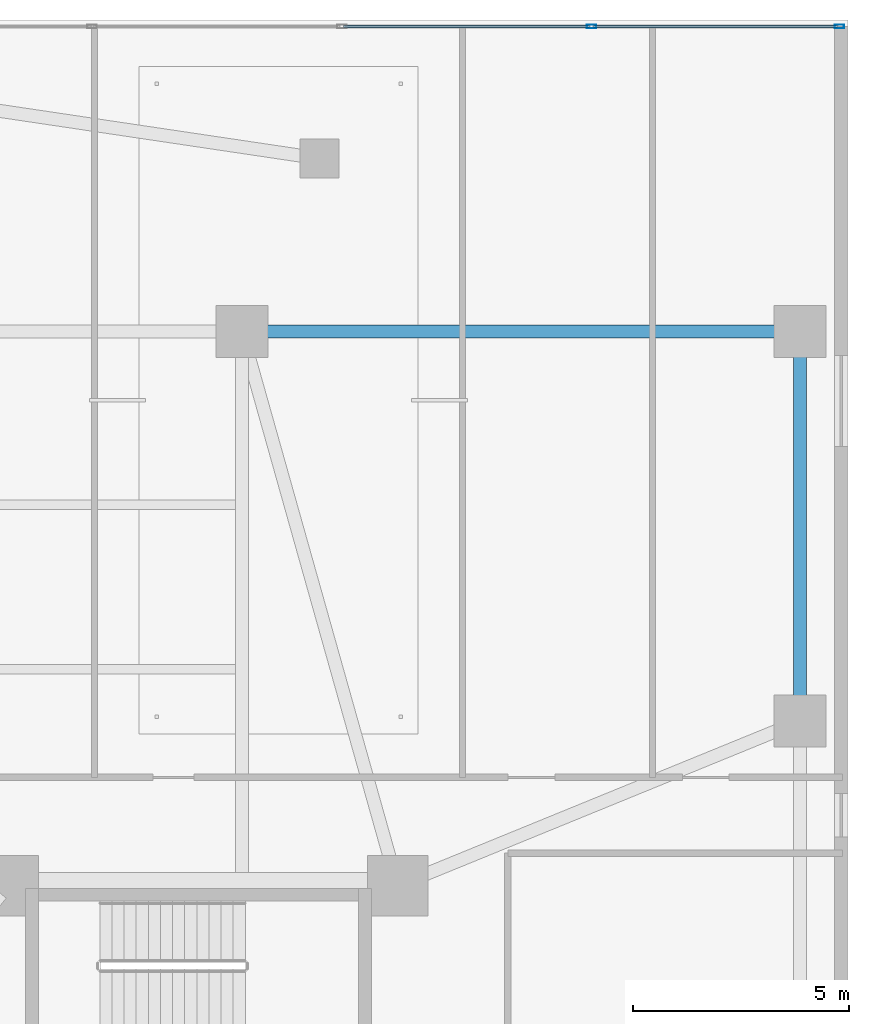
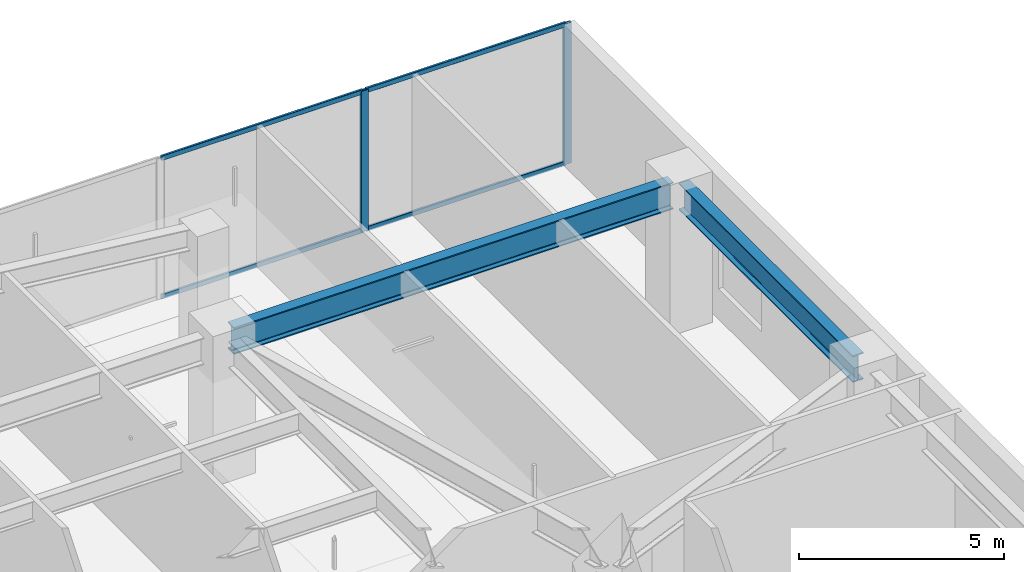
# One storey, part 7 of 22: 6 members, 2 beams, 1 element without a shape of its own.
"""IFC4 building model written with IfcOpenShell, lengths in metres."""

from ifc_helpers import new_model, si_unit, direction, frame, origin, origin_2d, place, context, subcontext, project, spatial, hollow_rectangle, i_section, extrude, material, layer, layer_set, material_profile, profile_set, type_object, element, aggregate, save


model = new_model("IFC4")

# Units and contexts
model_context = context("Model", 3, precision=1e-05, world=origin(), true_north=direction((0.0, 1.0)))
body_context = subcontext(model_context, "Body", "Model", "MODEL_VIEW")
ifc_project = project(units=[si_unit("LENGTHUNIT", "METRE"), si_unit("AREAUNIT", "SQUARE_METRE"), si_unit("VOLUMEUNIT", "CUBIC_METRE"), si_unit("PLANEANGLEUNIT", "RADIAN"), si_unit("MASSUNIT", "GRAM", prefix="KILO")], contexts=[model_context])

# Site, building, storey
site_placement = place(None, origin())
site = spatial("IfcSite", under=ifc_project, at=site_placement, CompositionType="ELEMENT")
building_placement = place(site_placement, origin())
building = spatial("IfcBuilding", under=site, at=building_placement, Name="Tarnavaz Court Tower", CompositionType="ELEMENT")
storey_placement = place(building_placement, frame((0.0, 0.0, 14.39990234375)))
storey = spatial("IfcBuildingStorey", under=building, at=storey_placement, Name="L03", CompositionType="ELEMENT", Elevation=14.39990234375)

# Beams
ifc_material_1 = material(Name="Steel S355", Category="steel")
ifc_material_profile_1 = material_profile(ifc_material_1, i_section(OverallWidth=0.300048828125, OverallDepth=0.800048828125, WebThickness=0.017578125, FlangeThickness=0.032958984375, FilletRadius=0.030029296875, at=origin_2d()), Name="HEB 800")
ifc_profile_set_1 = profile_set([ifc_material_profile_1], Name="Steel S355")
beam_type = type_object("IfcBeamType", Name="BM-G-HEB800", PredefinedType="USERDEFINED", material=ifc_profile_set_1)
beam_1_placement = place(storey_placement, frame((15.25, 22.800048828125, 3.800048828125), z_axis=(1.0, 0.0, 0.0), x_axis=(0.0, 1.0, 0.0)))
element("IfcBeam", 1, at=beam_1_placement, inside=storey, type_object=beam_type, Name="L03 Beam PM-PM-N3-PM-NE", ObjectType="GIRDER", PredefinedType="USERDEFINED", context=body_context, shape_type="SweptSolid", body=[
    extrude(i_section(OverallWidth=0.300048828125, OverallDepth=0.800048828125, WebThickness=0.017578125, FlangeThickness=0.032958984375, FilletRadius=0.030029296875, at=origin_2d()), origin(), (0.0, 0.0, 1.0), 12.39990234375),
])
beam_2_placement = place(storey_placement, frame((27.89990234375, 14.050048828125, 3.800048828125), z_axis=(0.0, 1.0, 0.0), x_axis=(-1.0, 0.0, 0.0)))
element("IfcBeam", 2, at=beam_2_placement, inside=storey, type_object=beam_type, Name="L03 Beam PM-PM-E3-PM-NE", ObjectType="GIRDER", PredefinedType="USERDEFINED", context=body_context, shape_type="SweptSolid", body=[
    extrude(i_section(OverallWidth=0.300048828125, OverallDepth=0.800048828125, WebThickness=0.017578125, FlangeThickness=0.032958984375, FilletRadius=0.030029296875, at=origin_2d()), origin(), (0.0, 0.0, 1.0), 8.5),
])

# Curtain wall, members
ifc_material_2 = material(Name="Anodised Aluminium 6063-T6 and Solar Low-E Glazing", Category="aluminium")
ifc_layer = layer(ifc_material_2, 0.18994140625)
ifc_layer_set = layer_set([ifc_layer], Name="Anodised Aluminium 6063-T6 and Solar Low-E Glazing")
curtain_wall_type = type_object("IfcCurtainWallType", Name="CW-SYS-01", PredefinedType="NOTDEFINED", material=ifc_layer_set)
curtain_wall_placement = place(storey_placement, origin())
curtain_wall = element("IfcCurtainWall", 3, at=curtain_wall_placement, inside=storey, type_object=curtain_wall_type, Name="L03 Clinic Podium Curtain Wall 1", PredefinedType="NOTDEFINED")
ifc_material_3 = material(Name="Anodised Aluminium 6063-T6", Category="aluminium")
ifc_material_profile_2 = material_profile(ifc_material_3, hollow_rectangle(XDim=0.0849609375, YDim=0.219970703125, WallThickness=0.006103515625, InnerFilletRadius=0.006103515625, OuterFilletRadius=0.011962890625, at=origin_2d()), Name="ALU RHS 220X85X6")
ifc_profile_set_2 = profile_set([ifc_material_profile_2], Name="Anodised Aluminium 6063-T6")
member_type_1 = type_object("IfcMemberType", Name="CW-MUL-220", PredefinedType="MULLION", material=ifc_profile_set_2)
member_1_placement = place(storey_placement, frame((23.080078125, 29.85009765625, 0.0), z_axis=(0.0, 0.0, 1.0), x_axis=(0.0, 1.0, 0.0)))
member_1 = element("IfcMember", 4, at=member_1_placement, type_object=member_type_1, Name="CW mullion 10", PredefinedType="MULLION", context=body_context, shape_type="SweptSolid", body=[
    extrude(hollow_rectangle(XDim=0.0849609375, YDim=0.219970703125, WallThickness=0.006103515625, InnerFilletRadius=0.006103515625, OuterFilletRadius=0.011962890625, at=origin_2d()), origin(), (0.0, 0.0, 1.0), 4.2001953125),
])
member_2_placement = place(storey_placement, frame((28.8076171875, 29.85009765625, 0.0), z_axis=(0.0, 0.0, 1.0), x_axis=(0.0, 1.0, 0.0)))
member_2 = element("IfcMember", 5, at=member_2_placement, type_object=member_type_1, Name="CW mullion 11", PredefinedType="MULLION", context=body_context, shape_type="SweptSolid", body=[
    extrude(hollow_rectangle(XDim=0.0849609375, YDim=0.219970703125, WallThickness=0.006103515625, InnerFilletRadius=0.006103515625, OuterFilletRadius=0.011962890625, at=origin_2d()), origin(), (0.0, 0.0, 1.0), 4.2001953125),
])
ifc_material_profile_3 = material_profile(ifc_material_3, hollow_rectangle(XDim=0.06494140625, YDim=0.139892578125, WallThickness=0.00390625, InnerFilletRadius=0.00390625, OuterFilletRadius=0.008056640625, at=origin_2d()), Name="ALU RHS 140X65X4")
ifc_profile_set_3 = profile_set([ifc_material_profile_3], Name="Anodised Aluminium 6063-T6")
member_type_2 = type_object("IfcMemberType", Name="CW-TRN-140", PredefinedType="USERDEFINED", material=ifc_profile_set_3)
member_3_placement = place(storey_placement, frame((17.3525390625, 29.85009765625, 0.03271484375), z_axis=(1.0, 0.0, 0.0), x_axis=(0.0, 1.0, 0.0)))
member_3 = element("IfcMember", 6, at=member_3_placement, type_object=member_type_2, Name="CW transom 9.1", ObjectType="TRANSOM", PredefinedType="USERDEFINED", context=body_context, shape_type="SweptSolid", body=[
    extrude(hollow_rectangle(XDim=0.06494140625, YDim=0.139892578125, WallThickness=0.00390625, InnerFilletRadius=0.00390625, OuterFilletRadius=0.008056640625, at=origin_2d()), origin(), (0.0, 0.0, 1.0), 5.68505859375),
])
member_4_placement = place(storey_placement, frame((17.3525390625, 29.85009765625, 4.16748046875), z_axis=(1.0, 0.0, 0.0), x_axis=(0.0, 1.0, 0.0)))
member_4 = element("IfcMember", 7, at=member_4_placement, type_object=member_type_2, Name="CW transom 9.2", ObjectType="TRANSOM", PredefinedType="USERDEFINED", context=body_context, shape_type="SweptSolid", body=[
    extrude(hollow_rectangle(XDim=0.06494140625, YDim=0.139892578125, WallThickness=0.00390625, InnerFilletRadius=0.00390625, OuterFilletRadius=0.008056640625, at=origin_2d()), origin(), (0.0, 0.0, 1.0), 5.68505859375),
])
member_5_placement = place(storey_placement, frame((23.12255859375, 29.85009765625, 0.03271484375), z_axis=(1.0, 0.0, 0.0), x_axis=(0.0, 1.0, 0.0)))
member_5 = element("IfcMember", 8, at=member_5_placement, type_object=member_type_2, Name="CW transom 10.1", ObjectType="TRANSOM", PredefinedType="USERDEFINED", context=body_context, shape_type="SweptSolid", body=[
    extrude(hollow_rectangle(XDim=0.06494140625, YDim=0.139892578125, WallThickness=0.00390625, InnerFilletRadius=0.00390625, OuterFilletRadius=0.008056640625, at=origin_2d()), origin(), (0.0, 0.0, 1.0), 5.642333984375),
])
member_6_placement = place(storey_placement, frame((23.12255859375, 29.85009765625, 4.16748046875), z_axis=(1.0, 0.0, 0.0), x_axis=(0.0, 1.0, 0.0)))
member_6 = element("IfcMember", 9, at=member_6_placement, type_object=member_type_2, Name="CW transom 10.2", ObjectType="TRANSOM", PredefinedType="USERDEFINED", context=body_context, shape_type="SweptSolid", body=[
    extrude(hollow_rectangle(XDim=0.06494140625, YDim=0.139892578125, WallThickness=0.00390625, InnerFilletRadius=0.00390625, OuterFilletRadius=0.008056640625, at=origin_2d()), origin(), (0.0, 0.0, 1.0), 5.642333984375),
])
aggregate(curtain_wall, [member_1, member_2, member_3, member_4, member_5, member_6])

save(model, "model.ifc")
